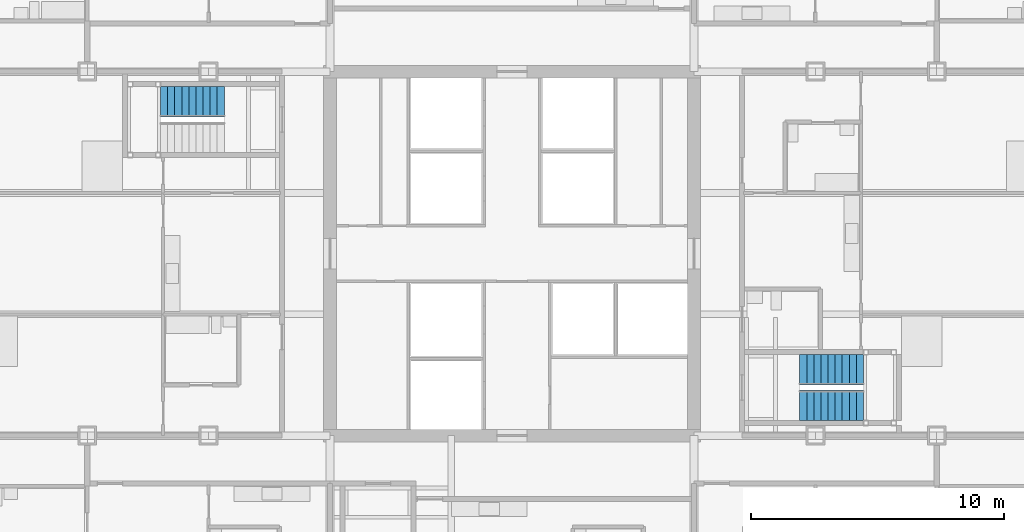
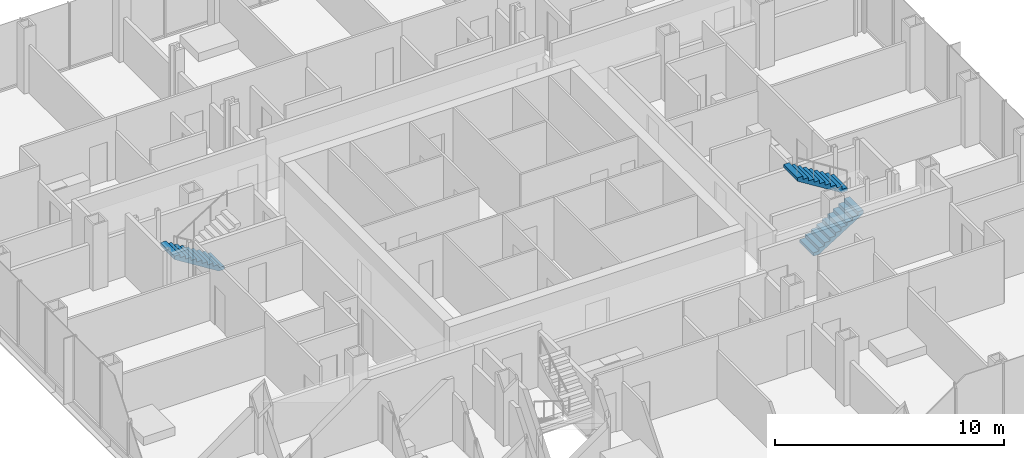
# One storey, part 18 of 21: 3 stair flights, 2 elements without a shape of their own.
"""IFC4 building model written with IfcOpenShell, lengths in metres."""

import ifcopenshell
import ifcopenshell.guid

model = None  # the IFC model being written
_history = None  # IfcOwnerHistory: only IFC2X3 demands one
_inside = {}  # id of a spatial element -> (the spatial element, [elements in it])
_under = {}  # id of a project, library or spatial element -> (it, [spatial elements below it])
_declared = {}  # id of a project -> (the project, [libraries it declares])
_typed = {}  # id of a type object -> (the type object, [elements of that type])
_made_of = {}  # id of a material, layer set ... -> (it, [elements and type objects made of it])


def new_model(schema):
    """Start an empty IFC model of exactly this schema.

    Asked for "IFC4X3", IfcOpenShell would pick the latest addendum, in which some entities
    have other attributes; the version numbers below select the first issue.
    IFC2X3 requires an IfcOwnerHistory on every rooted entity: one is made here for all.
    """
    global model, _history
    if schema == "IFC4X3":
        model = ifcopenshell.file(schema_version=(4, 3, 0, 0))
    else:
        model = ifcopenshell.file(schema=schema)
    _inside.clear()
    _under.clear()
    _declared.clear()
    _typed.clear()
    _made_of.clear()
    _history = None
    if model.schema == "IFC2X3":
        org = make("IfcOrganization", Name="unknown")
        user = make(
            "IfcPersonAndOrganization",
            ThePerson=make("IfcPerson", FamilyName="unknown"),
            TheOrganization=org,
        )
        app = make(
            "IfcApplication",
            ApplicationDeveloper=org,
            Version="unknown",
            ApplicationFullName="unknown",
            ApplicationIdentifier="unknown",
        )
        _history = make(
            "IfcOwnerHistory",
            OwningUser=user,
            OwningApplication=app,
            ChangeAction="ADDED",
            CreationDate=0,
        )
    return model


def make(cls, **values):
    """One entity of the class cls with the attributes given. An attribute that is None is left unset."""
    return model.create_entity(
        cls, **{name: value for name, value in values.items() if value is not None}
    )


def rooted(cls, **values):
    """An entity with a GlobalId (a new one), such as an element, a storey or a relation."""
    return make(cls, GlobalId=ifcopenshell.guid.new(), OwnerHistory=_history, **values)


def si_unit(unit_type, name, prefix=None):
    """IfcSIUnit, for example si_unit("LENGTHUNIT", "METRE", prefix="MILLI")."""
    return make("IfcSIUnit", UnitType=unit_type, Prefix=prefix, Name=name)


def assignment(units):
    """IfcUnitAssignment: the units of a project."""
    return None if units is None else make("IfcUnitAssignment", Units=units)


def point(xyz):
    """IfcCartesianPoint."""
    return None if xyz is None else make("IfcCartesianPoint", Coordinates=xyz)


def direction(xyz):
    """IfcDirection."""
    return None if xyz is None else make("IfcDirection", DirectionRatios=xyz)


def frame(location, z_axis=None, x_axis=None):
    """IfcAxis2Placement3D, a coordinate frame: its origin and axes. An axis left out is left unset."""
    return make(
        "IfcAxis2Placement3D",
        Location=point(location),
        Axis=direction(z_axis),
        RefDirection=direction(x_axis),
    )


def origin():
    """The frame at (0, 0, 0) with its axes left unset."""
    return frame((0.0, 0.0, 0.0))


def place(relative_to, where):
    """IfcLocalPlacement: puts the frame where relative to a parent placement (None: the world)."""
    return make(
        "IfcLocalPlacement", PlacementRelTo=relative_to, RelativePlacement=where
    )


def context(
    kind, dimensions, precision=None, world=None, true_north=None, identifier=None
):
    """IfcGeometricRepresentationContext, for example the 3D "Model" context."""
    return make(
        "IfcGeometricRepresentationContext",
        ContextIdentifier=identifier,
        ContextType=kind,
        CoordinateSpaceDimension=dimensions,
        Precision=precision,
        WorldCoordinateSystem=world,
        TrueNorth=true_north,
    )


def subcontext(parent, identifier, kind, view, scale=None):
    """IfcGeometricRepresentationSubContext, for example "Body" below "Model"."""
    return make(
        "IfcGeometricRepresentationSubContext",
        ContextIdentifier=identifier,
        ContextType=kind,
        ParentContext=parent,
        TargetScale=scale,
        TargetView=view,
    )


def project(units=None, contexts=None):
    """IfcProject with its units and contexts."""
    return rooted(
        "IfcProject",
        Name="project",
        RepresentationContexts=contexts,
        UnitsInContext=assignment(units),
    )


def spatial(cls, under=None, at=None, **own):
    """A site, building, storey or space (cls), placed at a placement, below another one or the project."""
    s = rooted(cls, ObjectPlacement=at, **own)
    if under is not None:
        _under.setdefault(under.id(), (under, []))[1].append(s)
    return s


def polyline(points):
    """IfcPolyline through the points."""
    return make("IfcPolyline", Points=[point(p) for p in points])


def outline(outer, holes=None, kind="AREA"):
    """IfcArbitraryClosedProfileDef: a profile drawn as a closed curve; with holes, ...WithVoids."""
    if holes is None:
        return make("IfcArbitraryClosedProfileDef", ProfileType=kind, OuterCurve=outer)
    return make(
        "IfcArbitraryProfileDefWithVoids",
        ProfileType=kind,
        OuterCurve=outer,
        InnerCurves=holes,
    )


def extrude(swept, where, along, depth):
    """IfcExtrudedAreaSolid: the profile swept, set in the frame where, extruded along a direction by depth."""
    return make(
        "IfcExtrudedAreaSolid",
        SweptArea=swept,
        Position=where,
        ExtrudedDirection=direction(along),
        Depth=depth,
    )


def shape(context_of_items, identifier, shape_type, items):
    """IfcShapeRepresentation: the items that make up one representation, for example the "Body"."""
    return make(
        "IfcShapeRepresentation",
        ContextOfItems=context_of_items,
        RepresentationIdentifier=identifier,
        RepresentationType=shape_type,
        Items=items,
    )


def material(Name=None, Category=None):
    """IfcMaterial."""
    return make("IfcMaterial", Name=Name, Category=Category)


def made_of(thing, what):
    """Note that an element or type object is made of a material, layer set ...; save() writes the relation."""
    if what is not None:
        _made_of.setdefault(what.id(), (what, []))[1].append(thing)
    return thing


def type_object(cls, material=None, **own):
    """A type object (cls), such as IfcWallType, which elements share."""
    return made_of(rooted(cls, **own), material)


def element(
    cls,
    number,
    at=None,
    inside=None,
    cuts=None,
    type_object=None,
    material=None,
    context=None,
    identifier="Body",
    shape_type=None,
    held_by="IfcProductDefinitionShape",
    body=None,
    shapes=None,
    **own,
):
    """One element of the class cls, such as IfcWall. Its Tag is "e" and its number.

    at: its placement. inside: the storey or other place that contains it. cuts: it is an
    opening in that element (IfcRelVoidsElement). A single representation is given by context,
    identifier, shape_type and body (its items); several are given by shapes. held_by: the class
    of the entity that holds the representations. save() writes the other relations.
    """
    e = rooted(cls, Tag="e%d" % number, ObjectPlacement=at, **own)
    if body is not None:
        shapes = [shape(context, identifier, shape_type, body)]
    if shapes is not None:
        e.Representation = make(held_by, Representations=shapes)
    if inside is not None:
        _inside.setdefault(inside.id(), (inside, []))[1].append(e)
    if cuts is not None:
        rooted(
            "IfcRelVoidsElement", RelatingBuildingElement=cuts, RelatedOpeningElement=e
        )
    if type_object is not None:
        _typed.setdefault(type_object.id(), (type_object, []))[1].append(e)
    return made_of(e, material)


def aggregate(whole, parts):
    """IfcRelAggregates: a whole, such as a stair, and the parts it consists of."""
    return rooted("IfcRelAggregates", RelatingObject=whole, RelatedObjects=parts)


def save(model, path):
    """Write the relations noted so far, then the file.

    IfcRelAggregates (storeys below a building ...), IfcRelContainedInSpatialStructure (elements
    in a storey), IfcRelDefinesByType, IfcRelAssociatesMaterial and IfcRelDeclares: one each for
    every whole, place, type object, material and project.
    """
    for whole, parts in _under.values():
        aggregate(whole, parts)
    for where, things in _inside.values():
        rooted(
            "IfcRelContainedInSpatialStructure",
            RelatedElements=things,
            RelatingStructure=where,
        )
    for kind, things in _typed.values():
        rooted("IfcRelDefinesByType", RelatedObjects=things, RelatingType=kind)
    for what, things in _made_of.values():
        rooted("IfcRelAssociatesMaterial", RelatedObjects=things, RelatingMaterial=what)
    for by, libraries in _declared.values():
        rooted("IfcRelDeclares", RelatingContext=by, RelatedDefinitions=libraries)
    model.write(path)


model = new_model("IFC4")

# Units and contexts
model_context = context("Model", 3, precision=1e-05, world=origin(), true_north=direction((0.0, 1.0)))
body_context = subcontext(model_context, "Body", "Model", "MODEL_VIEW")
ifc_project = project(units=[si_unit("LENGTHUNIT", "METRE"), si_unit("AREAUNIT", "SQUARE_METRE"), si_unit("VOLUMEUNIT", "CUBIC_METRE"), si_unit("PLANEANGLEUNIT", "RADIAN"), si_unit("MASSUNIT", "GRAM", prefix="KILO")], contexts=[model_context])

# Site, building, storey
site_placement = place(None, origin())
site = spatial("IfcSite", under=ifc_project, at=site_placement, CompositionType="ELEMENT")
building_placement = place(site_placement, origin())
building = spatial("IfcBuilding", under=site, at=building_placement, Name="Kvirike Care Tower", CompositionType="ELEMENT")
storey_placement = place(building_placement, frame((0.0, 0.0, 58.5)))
storey = spatial("IfcBuildingStorey", under=building, at=storey_placement, Name="L15", CompositionType="ELEMENT", Elevation=58.5)

# Stair, stair flight
ifc_material_1 = material(Name="Concrete C35/45", Category="concrete")
stair_type = type_object("IfcStairType", Name="STAIR 20 RISERS", PredefinedType="HALF_TURN_STAIR", material=ifc_material_1)
stair_1_placement = place(storey_placement, origin())
stair_1 = element("IfcStair", 1, at=stair_1_placement, inside=storey, type_object=stair_type, Name="Stair 1 L15", PredefinedType="HALF_TURN_STAIR")
ifc_material_2 = material(Name="Concrete C35/45", Category="concrete")
stair_flight_type = type_object("IfcStairFlightType", Name="FLIGHT 10 RISERS", PredefinedType="STRAIGHT", material=ifc_material_2)
stair_flight_1_placement = place(storey_placement, frame((10.219970703125, 42.0, 0.0), z_axis=(0.0, 0.0, 1.0), x_axis=(-1.0, 0.0, 0.0)))
stair_flight_1 = element("IfcStairFlight", 2, at=stair_flight_1_placement, type_object=stair_flight_type, Name="Stair S1 flight 1 L15-L16", NumberOfRisers=10, NumberOfTreads=9, PredefinedType="STRAIGHT", RiserHeight=0.175, TreadLength=0.28, context=body_context, shape_type="SweptSolid", body=[
    extrude(outline(polyline([(0.0, 0.0), (0.0, 0.175048828125), (0.280029296875, 0.175048828125), (0.280029296875, 0.35009765625), (0.56005859375, 0.35009765625), (0.56005859375, 0.52490234375), (0.840087890625, 0.52490234375), (0.840087890625, 0.699951171875), (1.1201171875, 0.699951171875), (1.1201171875, 0.875), (1.39990234375, 0.875), (1.39990234375, 1.050048828125), (1.679931640625, 1.050048828125), (1.679931640625, 1.22509765625), (1.9599609375, 1.22509765625), (1.9599609375, 1.39990234375), (2.239990234375, 1.39990234375), (2.239990234375, 1.574951171875), (2.52001953125, 1.574951171875), (2.52001953125, 1.75), (2.52001953125, 1.398193359375), (0.28271484375, 0.0), (0.0, 0.0)])), frame((0.0, 0.60009765625, 0.0), z_axis=(0.0, -1.0, 0.0), x_axis=(1.0, 0.0, 0.0)), (0.0, 0.0, 1.0), 1.199951171875),
])
aggregate(stair_1, [stair_flight_1])

# Stair, stair flights
stair_2_placement = place(storey_placement, origin())
stair_2 = element("IfcStair", 3, at=stair_2_placement, inside=storey, type_object=stair_type, Name="Stair 2 L15", PredefinedType="HALF_TURN_STAIR")
stair_flight_2_placement = place(storey_placement, frame((32.97998046875, 30.0, 0.0), z_axis=(0.0, 0.0, 1.0), x_axis=(1.0, 0.0, 0.0)))
stair_flight_2 = element("IfcStairFlight", 4, at=stair_flight_2_placement, type_object=stair_flight_type, Name="Stair S2 flight 1 L15-L16", NumberOfRisers=10, NumberOfTreads=9, PredefinedType="STRAIGHT", RiserHeight=0.175, TreadLength=0.28, context=body_context, shape_type="SweptSolid", body=[
    extrude(outline(polyline([(0.0, 0.0), (0.0, 0.175048828125), (0.280029296875, 0.175048828125), (0.280029296875, 0.35009765625), (0.56005859375, 0.35009765625), (0.56005859375, 0.52490234375), (0.840087890625, 0.52490234375), (0.840087890625, 0.699951171875), (1.1201171875, 0.699951171875), (1.1201171875, 0.875), (1.39990234375, 0.875), (1.39990234375, 1.050048828125), (1.679931640625, 1.050048828125), (1.679931640625, 1.22509765625), (1.9599609375, 1.22509765625), (1.9599609375, 1.39990234375), (2.239990234375, 1.39990234375), (2.239990234375, 1.574951171875), (2.52001953125, 1.574951171875), (2.52001953125, 1.75), (2.52001953125, 1.398193359375), (0.28271484375, 0.0), (0.0, 0.0)])), frame((0.0, 0.60009765625, 0.0), z_axis=(0.0, -1.0, 0.0), x_axis=(1.0, 0.0, 0.0)), (0.0, 0.0, 1.0), 1.199951171875),
])
stair_flight_3_placement = place(storey_placement, frame((35.5, 31.39990234375, 1.75), z_axis=(0.0, 0.0, 1.0), x_axis=(-1.0, 0.0, 0.0)))
stair_flight_3 = element("IfcStairFlight", 5, at=stair_flight_3_placement, type_object=stair_flight_type, Name="Stair S2 flight 2 L15-L16", NumberOfRisers=10, NumberOfTreads=9, PredefinedType="STRAIGHT", RiserHeight=0.175, TreadLength=0.28, context=body_context, shape_type="SweptSolid", body=[
    extrude(outline(polyline([(0.0, 0.0), (0.0, 0.175048828125), (0.280029296875, 0.175048828125), (0.280029296875, 0.35009765625), (0.56005859375, 0.35009765625), (0.56005859375, 0.52490234375), (0.840087890625, 0.52490234375), (0.840087890625, 0.699951171875), (1.1201171875, 0.699951171875), (1.1201171875, 0.875), (1.39990234375, 0.875), (1.39990234375, 1.050048828125), (1.679931640625, 1.050048828125), (1.679931640625, 1.22509765625), (1.9599609375, 1.22509765625), (1.9599609375, 1.39990234375), (2.239990234375, 1.39990234375), (2.239990234375, 1.574951171875), (2.52001953125, 1.574951171875), (2.52001953125, 1.75), (2.52001953125, 1.398193359375), (0.28271484375, 0.0), (0.0, 0.0)])), frame((0.0, 0.60009765625, 0.0), z_axis=(0.0, -1.0, 0.0), x_axis=(1.0, 0.0, 0.0)), (0.0, 0.0, 1.0), 1.199951171875),
])
aggregate(stair_2, [stair_flight_2, stair_flight_3])

save(model, "model.ifc")
